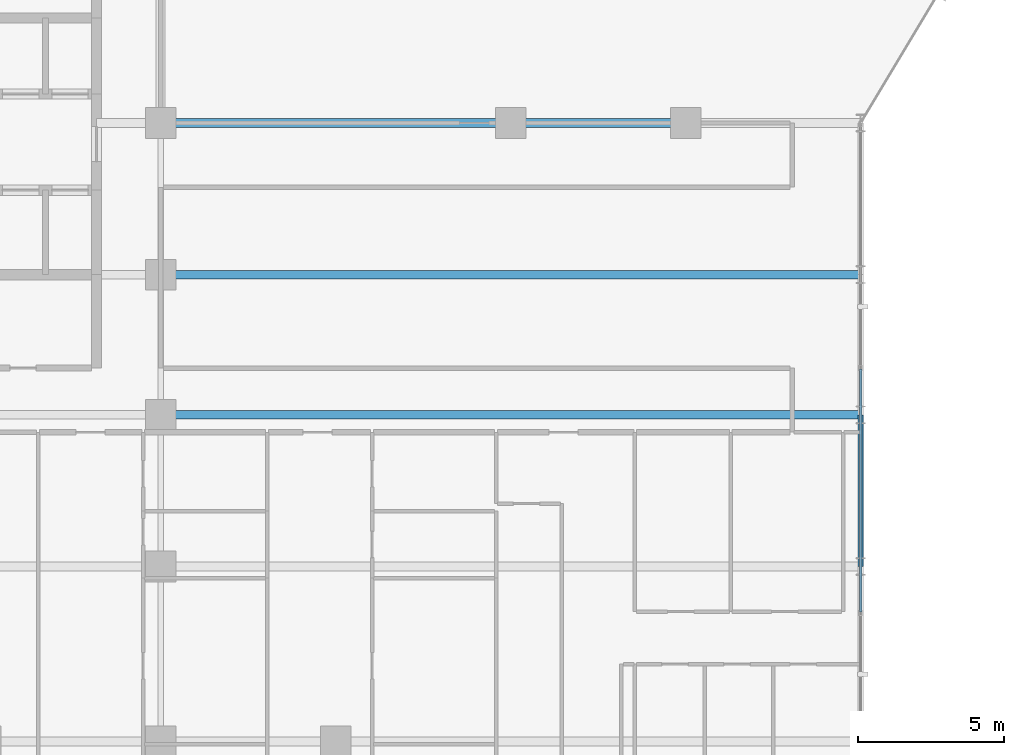
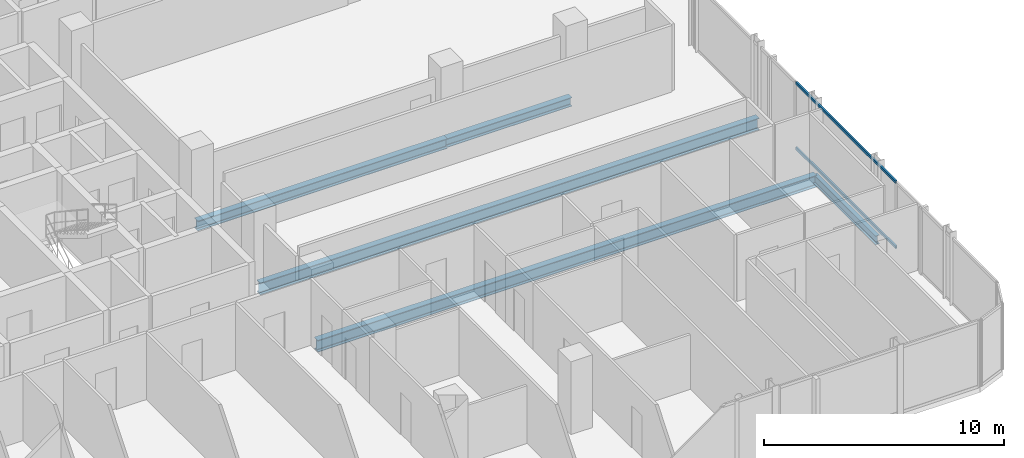
# One storey, part 11 of 30: 5 beams, 2 members, 1 element without a shape of its own.
"""IFC4 building model written with IfcOpenShell, lengths in metres."""

from ifc_helpers import new_model, si_unit, direction, frame, origin, origin_2d, place, context, subcontext, project, spatial, hollow_rectangle, i_section, extrude, material, layer, layer_set, material_profile, profile_set, type_object, element, aggregate, save


model = new_model("IFC4")

# Units and contexts
model_context = context("Model", 3, precision=1e-05, world=origin(), true_north=direction((0.0, 1.0)))
body_context = subcontext(model_context, "Body", "Model", "MODEL_VIEW")
ifc_project = project(units=[si_unit("LENGTHUNIT", "METRE"), si_unit("AREAUNIT", "SQUARE_METRE"), si_unit("VOLUMEUNIT", "CUBIC_METRE"), si_unit("PLANEANGLEUNIT", "RADIAN"), si_unit("MASSUNIT", "GRAM", prefix="KILO")], contexts=[model_context])

# Site, building, storey
site_placement = place(None, origin())
site = spatial("IfcSite", under=ifc_project, at=site_placement, CompositionType="ELEMENT")
building_placement = place(site_placement, origin())
building = spatial("IfcBuilding", under=site, at=building_placement, Name="Keshet Zoharim Tower", CompositionType="ELEMENT")
storey_placement = place(building_placement, frame((0.0, 0.0, 116.800048828125)))
storey = spatial("IfcBuildingStorey", under=building, at=storey_placement, Name="L28", CompositionType="ELEMENT", Elevation=116.800048828125)

# Beams
ifc_material_1 = material(Name="Steel S355", Category="steel")
ifc_material_profile_1 = material_profile(ifc_material_1, i_section(OverallWidth=0.300048828125, OverallDepth=0.60009765625, WebThickness=0.015380859375, FlangeThickness=0.030029296875, FilletRadius=0.027099609375, at=origin_2d()), Name="HEB600")
ifc_profile_set_1 = profile_set([ifc_material_profile_1], Name="Steel S355")
beam_type_1 = type_object("IfcBeamType", Name="BM-LNG-HB600", PredefinedType="BEAM", material=ifc_profile_set_1)
for number, where, z_axis, x_axis, name in (
    (1, (33.0, 17.89990234375, -0.614990234375), (1.0, 0.0, 0.0), (0.0, 1.0, 0.0), "L28 Primary Girder X-013"),
    (2, (33.0, 22.699951171875, -0.614990234375), (1.0, 0.0, 0.0), (0.0, 1.0, 0.0), "L28 Primary Girder X-014"),
):
    element("IfcBeam", number, at=place(storey_placement, frame(where, z_axis=z_axis, x_axis=x_axis)), inside=storey, type_object=beam_type_1, Name=name, PredefinedType="BEAM", context=body_context, shape_type="SweptSolid", body=[
        extrude(i_section(OverallWidth=0.300048828125, OverallDepth=0.60009765625, WebThickness=0.015380859375, FlangeThickness=0.030029296875, FilletRadius=0.027099609375, at=origin_2d()), origin(), (0.0, 0.0, 1.0), 24.0),
    ])
ifc_material_profile_2 = material_profile(ifc_material_1, i_section(OverallWidth=0.300048828125, OverallDepth=0.5, WebThickness=0.014404296875, FlangeThickness=0.028076171875, FilletRadius=0.027099609375, at=origin_2d()), Name="HEB500")
ifc_profile_set_2 = profile_set([ifc_material_profile_2], Name="Steel S355")
beam_type_2 = type_object("IfcBeamType", Name="BM-MED-HB500", PredefinedType="BEAM", material=ifc_profile_set_2)
beam_1_placement = place(storey_placement, frame((33.0, 27.89990234375, -0.56494140625), z_axis=(1.0, 0.0, 0.0), x_axis=(0.0, 1.0, 0.0)))
element("IfcBeam", 3, at=beam_1_placement, inside=storey, type_object=beam_type_2, Name="L28 Primary Girder X-015", PredefinedType="BEAM", context=body_context, shape_type="SweptSolid", body=[
    extrude(i_section(OverallWidth=0.300048828125, OverallDepth=0.5, WebThickness=0.014404296875, FlangeThickness=0.028076171875, FilletRadius=0.027099609375, at=origin_2d()), origin(), (0.0, 0.0, 1.0), 12.0),
])
ifc_material_profile_3 = material_profile(ifc_material_1, i_section(OverallWidth=0.18994140625, OverallDepth=0.449951171875, WebThickness=0.009521484375, FlangeThickness=0.0146484375, FilletRadius=0.02099609375, at=origin_2d()), Name="IPE450")
ifc_profile_set_3 = profile_set([ifc_material_profile_3], Name="Steel S355")
beam_type_3 = type_object("IfcBeamType", Name="BM-PRI-IP450", PredefinedType="BEAM", material=ifc_profile_set_3)
beam_2_placement = place(storey_placement, frame((57.0, 12.699951171875, -0.5400390625), z_axis=(0.0, 1.0, 0.0), x_axis=(-1.0, 0.0, 0.0)))
element("IfcBeam", 4, at=beam_2_placement, inside=storey, type_object=beam_type_3, Name="L28 Primary Girder Y-014", PredefinedType="BEAM", context=body_context, shape_type="SweptSolid", body=[
    extrude(i_section(OverallWidth=0.18994140625, OverallDepth=0.449951171875, WebThickness=0.009521484375, FlangeThickness=0.0146484375, FilletRadius=0.02099609375, at=origin_2d()), origin(), (0.0, 0.0, 1.0), 5.199951171875),
])
ifc_material_profile_4 = material_profile(ifc_material_1, i_section(OverallWidth=0.300048828125, OverallDepth=0.449951171875, WebThickness=0.013916015625, FlangeThickness=0.02587890625, FilletRadius=0.027099609375, at=origin_2d()), Name="HEB450")
ifc_profile_set_4 = profile_set([ifc_material_profile_4], Name="Steel S355")
beam_type_4 = type_object("IfcBeamType", Name="BM-WEB-HB450", PredefinedType="BEAM", material=ifc_profile_set_4)
beam_3_placement = place(storey_placement, frame((45.0, 27.89990234375, -0.5400390625), z_axis=(1.0, 0.0, 0.0), x_axis=(0.0, 1.0, 0.0)))
element("IfcBeam", 5, at=beam_3_placement, inside=storey, type_object=beam_type_4, Name="L28 Primary Girder X-016", PredefinedType="BEAM", context=body_context, shape_type="SweptSolid", body=[
    extrude(i_section(OverallWidth=0.300048828125, OverallDepth=0.449951171875, WebThickness=0.013916015625, FlangeThickness=0.02587890625, FilletRadius=0.027099609375, at=origin_2d()), origin(), (0.0, 0.0, 1.0), 6.0),
])

# Curtain wall, members
ifc_material_2 = material(Name="Aluminium 6063-T6", Category="aluminium")
ifc_layer = layer(ifc_material_2, 0.159912109375)
ifc_layer_set = layer_set([ifc_layer], Name="Aluminium 6063-T6")
curtain_wall_type = type_object("IfcCurtainWallType", Name="CW-SYS-03", PredefinedType="NOTDEFINED", material=ifc_layer_set)
curtain_wall_placement = place(storey_placement, origin())
curtain_wall = element("IfcCurtainWall", 6, at=curtain_wall_placement, inside=storey, type_object=curtain_wall_type, Name="L28 Unitised Curtain Wall 19", PredefinedType="NOTDEFINED")
ifc_material_profile_5 = material_profile(ifc_material_2, hollow_rectangle(XDim=0.080078125, YDim=0.139892578125, WallThickness=0.00390625, at=origin_2d()), Name="TRN-80x140")
ifc_profile_set_5 = profile_set([ifc_material_profile_5], Name="Aluminium 6063-T6")
member_type = type_object("IfcMemberType", Name="CWT-T14", PredefinedType="USERDEFINED", material=ifc_profile_set_5)
member_1_placement = place(storey_placement, frame((57.0, 19.465087890625, 0.034912109375), z_axis=(0.0, -1.0, 0.0), x_axis=(1.0, 0.0, 0.0)))
member_1 = element("IfcMember", 7, at=member_1_placement, type_object=member_type, Name="CW-03 transom 2.1", ObjectType="TRANSOM", PredefinedType="USERDEFINED", context=body_context, shape_type="SweptSolid", body=[
    extrude(hollow_rectangle(XDim=0.080078125, YDim=0.139892578125, WallThickness=0.00390625, at=origin_2d()), origin(), (0.0, 0.0, 1.0), 8.330078125),
])
member_2_placement = place(storey_placement, frame((57.0, 19.465087890625, 3.344970703125), z_axis=(0.0, -1.0, 0.0), x_axis=(1.0, 0.0, 0.0)))
member_2 = element("IfcMember", 8, at=member_2_placement, type_object=member_type, Name="CW-03 transom 2.2", ObjectType="TRANSOM", PredefinedType="USERDEFINED", context=body_context, shape_type="SweptSolid", body=[
    extrude(hollow_rectangle(XDim=0.080078125, YDim=0.139892578125, WallThickness=0.00390625, at=origin_2d()), origin(), (0.0, 0.0, 1.0), 8.330078125),
])
aggregate(curtain_wall, [member_1, member_2])

save(model, "model.ifc")
